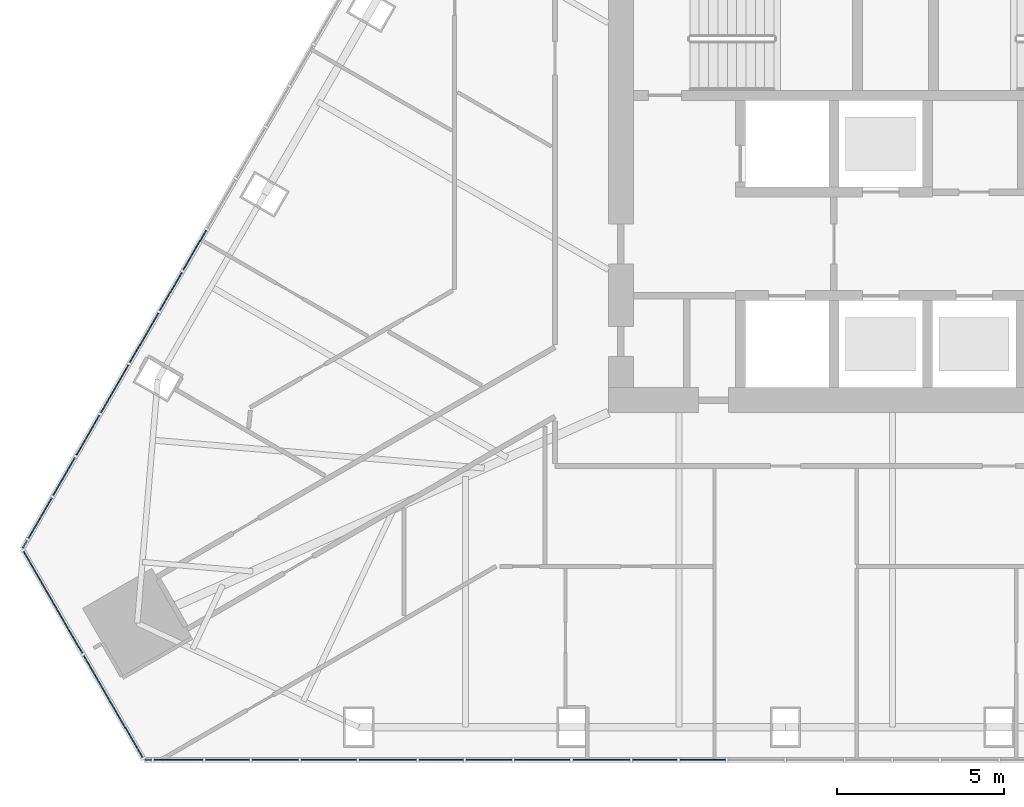
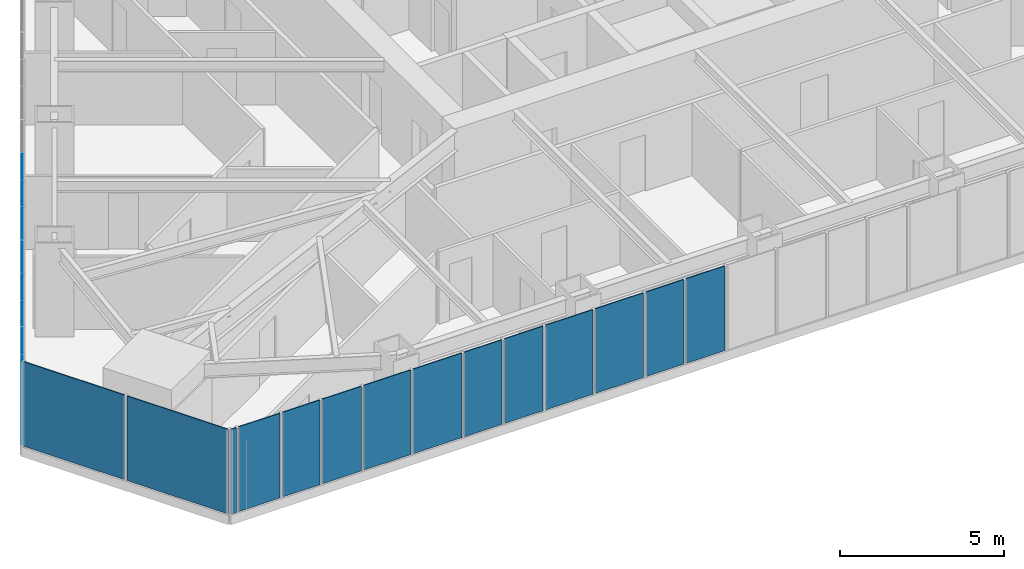
# One storey, part 11 of 21: 22 plates, 3 elements without a shape of their own.
"""IFC4 building model written with IfcOpenShell, lengths in metres."""

from ifc_helpers import new_model, si_unit, direction, frame, origin, place, context, subcontext, project, spatial, polyline, outline, extrude, material, layer, layer_set, type_object, element, aggregate, save


model = new_model("IFC4")

# Units and contexts
model_context = context("Model", 3, precision=1e-05, world=origin(), true_north=direction((0.0, 1.0)))
body_context = subcontext(model_context, "Body", "Model", "MODEL_VIEW")
ifc_project = project(units=[si_unit("LENGTHUNIT", "METRE"), si_unit("AREAUNIT", "SQUARE_METRE"), si_unit("VOLUMEUNIT", "CUBIC_METRE"), si_unit("PLANEANGLEUNIT", "RADIAN"), si_unit("MASSUNIT", "GRAM", prefix="KILO")], contexts=[model_context])

# Site, building, storey
site_placement = place(None, origin())
site = spatial("IfcSite", under=ifc_project, at=site_placement, CompositionType="ELEMENT")
building_placement = place(site_placement, origin())
building = spatial("IfcBuilding", under=site, at=building_placement, Name="Firuza Gate Tower and Library", CompositionType="ELEMENT")
storey_placement = place(building_placement, frame((0.0, 0.0, 284.60009765625)))
storey = spatial("IfcBuildingStorey", under=building, at=storey_placement, Name="L68", CompositionType="ELEMENT", Elevation=284.60009765625)

# Curtain wall, plates
ifc_material_1 = material(Name="Aluminium 6063-T6", Category="aluminium")
ifc_layer_1 = layer(ifc_material_1, 0.14990234375)
ifc_layer_set_1 = layer_set([ifc_layer_1], Name="Corner curtain wall, chamfers")
curtain_wall_type_1 = type_object("IfcCurtainWallType", Name="Corner curtain wall, chamfers", PredefinedType="NOTDEFINED", material=ifc_layer_set_1)
placement = place(storey_placement, origin())
curtain_wall_1 = element("IfcCurtainWall", 1, at=placement, inside=storey, type_object=curtain_wall_type_1, Name="CW4 L68 SW corner", PredefinedType="NOTDEFINED")
ifc_material_2 = material(Name="Fritted glass", Category="glass")
ifc_layer_2 = layer(ifc_material_2, 0.030029296875)
ifc_layer_set_2 = layer_set([ifc_layer_2], Name="Fritted glass unit, corners")
plate_type_1 = type_object("IfcPlateType", Name="Fritted glass unit, corners", PredefinedType="CURTAIN_PANEL", material=ifc_layer_set_2)
plate_1_placement = place(storey_placement, frame((48.957763671875, 64.125244140625, 0.14990234375), z_axis=(-0.866016723041, -0.500015035186, 0.0), x_axis=(0.500015035186, -0.866016723041, 0.0)))
plate_1 = element("IfcPlate", 2, at=plate_1_placement, type_object=plate_type_1, Name="Glass unit", PredefinedType="CURTAIN_PANEL", context=body_context, shape_type="SweptSolid", body=[
    extrude(outline(polyline([(0.0, 0.0), (3.5633694106530625, 0.0), (3.5633694106530625, 3.14990234375), (0.0, 3.14990234375), (0.0, 0.0)])), origin(), (0.0, 0.0, -1.0), 0.030029296875),
])
plate_2_placement = place(storey_placement, frame((50.779296875, 60.969970703125, 0.14990234375), z_axis=(-0.866016723041, -0.500015035186, 0.0), x_axis=(0.500015035186, -0.866016723041, 0.0)))
plate_2 = element("IfcPlate", 3, at=plate_2_placement, type_object=plate_type_1, Name="Glass unit", PredefinedType="CURTAIN_PANEL", context=body_context, shape_type="SweptSolid", body=[
    extrude(outline(polyline([(0.0, 0.0), (3.5633694106530625, 0.0), (3.5633694106530625, 3.14990234375), (0.0, 3.14990234375), (0.0, 0.0)])), origin(), (0.0, 0.0, -1.0), 0.030029296875),
])
aggregate(curtain_wall_1, [plate_1, plate_2])

ifc_material_3 = material(Name="Aluminium 6063-T6", Category="aluminium")
ifc_layer_3 = layer(ifc_material_3, 0.14990234375)
ifc_layer_set_3 = layer_set([ifc_layer_3], Name="Unitised curtain wall, residences")
curtain_wall_type_2 = type_object("IfcCurtainWallType", Name="Unitised curtain wall, residences", PredefinedType="NOTDEFINED", material=ifc_layer_set_3)
curtain_wall_2 = element("IfcCurtainWall", 4, at=placement, inside=storey, type_object=curtain_wall_type_2, Name="CW3 L68 S face", PredefinedType="NOTDEFINED")
ifc_material_4 = material(Name="Fritted glass", Category="glass")
ifc_layer_4 = layer(ifc_material_4, 0.030029296875)
ifc_layer_set_4 = layer_set([ifc_layer_4], Name="Fritted glass unit, residences")
plate_type_2 = type_object("IfcPlateType", Name="Fritted glass unit, residences", PredefinedType="CURTAIN_PANEL", material=ifc_layer_set_4)
plate_3_placement = place(storey_placement, frame((52.900146484375, 57.842041015625, 0.14990234375), z_axis=(0.0, -1.0, 0.0), x_axis=(1.0, 0.0, 0.0)))
plate_3 = element("IfcPlate", 5, at=plate_3_placement, type_object=plate_type_2, Name="Glass unit", PredefinedType="CURTAIN_PANEL", context=body_context, shape_type="SweptSolid", body=[
    extrude(outline(polyline([(0.0, 0.0), (1.463623046875, 0.0), (1.463623046875, 3.14990234375), (0.0, 3.14990234375), (0.0, 0.0)])), origin(), (0.0, 0.0, -1.0), 0.030029296875),
])
plate_4_placement = place(storey_placement, frame((57.30029296875, 57.842041015625, 0.14990234375), z_axis=(0.0, -1.0, 0.0), x_axis=(1.0, 0.0, 0.0)))
plate_4 = element("IfcPlate", 6, at=plate_4_placement, type_object=plate_type_2, Name="Glass unit", PredefinedType="CURTAIN_PANEL", context=body_context, shape_type="SweptSolid", body=[
    extrude(outline(polyline([(0.0, 0.0), (1.655517578125, 0.0), (1.655517578125, 3.14990234375), (0.0, 3.14990234375), (0.0, 0.0)])), origin(), (0.0, 0.0, -1.0), 0.030029296875),
])
plate_5_placement = place(storey_placement, frame((59.03564453125, 57.842041015625, 0.14990234375), z_axis=(0.0, -1.0, 0.0), x_axis=(1.0, 0.0, 0.0)))
plate_5 = element("IfcPlate", 7, at=plate_5_placement, type_object=plate_type_2, Name="Glass unit", PredefinedType="CURTAIN_PANEL", context=body_context, shape_type="SweptSolid", body=[
    extrude(outline(polyline([(0.0, 0.0), (1.71728515625, 0.0), (1.71728515625, 3.14990234375), (0.0, 3.14990234375), (0.0, 0.0)])), origin(), (0.0, 0.0, -1.0), 0.030029296875),
])
plate_6_placement = place(storey_placement, frame((63.689697265625, 57.842041015625, 0.14990234375), z_axis=(0.0, -1.0, 0.0), x_axis=(1.0, 0.0, 0.0)))
plate_6 = element("IfcPlate", 8, at=plate_6_placement, type_object=plate_type_2, Name="Glass unit", PredefinedType="CURTAIN_PANEL", context=body_context, shape_type="SweptSolid", body=[
    extrude(outline(polyline([(0.0, 0.0), (1.667724609375, 0.0), (1.667724609375, 3.14990234375), (0.0, 3.14990234375), (0.0, 0.0)])), origin(), (0.0, 0.0, -1.0), 0.030029296875),
])
plate_7_placement = place(storey_placement, frame((65.4375, 57.842041015625, 0.14990234375), z_axis=(0.0, -1.0, 0.0), x_axis=(1.0, 0.0, 0.0)))
plate_7 = element("IfcPlate", 9, at=plate_7_placement, type_object=plate_type_2, Name="Glass unit", PredefinedType="CURTAIN_PANEL", context=body_context, shape_type="SweptSolid", body=[
    extrude(outline(polyline([(0.0, 0.0), (1.704833984375, 0.0), (1.704833984375, 3.14990234375), (0.0, 3.14990234375), (0.0, 0.0)])), origin(), (0.0, 0.0, -1.0), 0.030029296875),
])

curtain_wall_3 = element("IfcCurtainWall", 10, at=placement, inside=storey, type_object=curtain_wall_type_2, Name="CW3 L68 W face", PredefinedType="NOTDEFINED")
plate_8_placement = place(storey_placement, frame((53.017333984375, 71.24072265625, 0.14990234375), z_axis=(-0.866003269798, 0.500038335229, 0.0), x_axis=(-0.500038335229, -0.866003269798, 0.0)))
plate_8 = element("IfcPlate", 11, at=plate_8_placement, type_object=plate_type_2, Name="Glass unit", PredefinedType="CURTAIN_PANEL", context=body_context, shape_type="SweptSolid", body=[
    extrude(outline(polyline([(0.0, 0.0), (1.7171535013042138, 0.0), (1.7171535013042138, 3.14990234375), (0.0, 3.14990234375), (0.0, 0.0)])), origin(), (0.0, 0.0, -1.0), 0.030029296875),
])
plate_9_placement = place(storey_placement, frame((52.11865234375, 69.684326171875, 0.14990234375), z_axis=(-0.865974362219, 0.500088396166, 0.0), x_axis=(-0.500088396166, -0.865974362219, 0.0)))
plate_9 = element("IfcPlate", 12, at=plate_9_placement, type_object=plate_type_2, Name="Glass unit", PredefinedType="CURTAIN_PANEL", context=body_context, shape_type="SweptSolid", body=[
    extrude(outline(polyline([(0.0, 0.0), (1.655469044518366, 0.0), (1.655469044518366, 3.14990234375), (0.0, 3.14990234375), (0.0, 0.0)])), origin(), (0.0, 0.0, -1.0), 0.030029296875),
])
plate_10_placement = place(storey_placement, frame((49.822509765625, 65.70751953125, 0.14990234375), z_axis=(-0.866043143382, 0.499969272857, 0.0), x_axis=(-0.499969272857, -0.866043143382, 0.0)))
plate_10 = element("IfcPlate", 13, at=plate_10_placement, type_object=plate_type_2, Name="Glass unit", PredefinedType="CURTAIN_PANEL", context=body_context, shape_type="SweptSolid", body=[
    extrude(outline(polyline([(0.0, 0.0), (1.3985234452588307, 0.0), (1.3985234452588307, 3.14990234375), (0.0, 3.14990234375), (0.0, 0.0)])), origin(), (0.0, 0.0, -1.0), 0.030029296875),
])

# Plate
ifc_material_5 = material(Name="Glazed ceramic tile")
ifc_layer_5 = layer(ifc_material_5, 0.030029296875)
ifc_layer_set_5 = layer_set([ifc_layer_5], Name="Opaque ceramic panel, residences")
plate_type_3 = type_object("IfcPlateType", Name="Opaque ceramic panel, residences", PredefinedType="CURTAIN_PANEL", material=ifc_layer_set_5)
plate_11_placement = place(storey_placement, frame((52.634033203125, 57.842041015625, 0.14990234375), z_axis=(0.0, -1.0, 0.0), x_axis=(1.0, 0.0, 0.0)))
plate_11 = element("IfcPlate", 14, at=plate_11_placement, type_object=plate_type_3, Name="Opaque ceramic panel", PredefinedType="CURTAIN_PANEL", context=body_context, shape_type="SweptSolid", body=[
    extrude(outline(polyline([(0.0, 0.0), (0.18603515625, 0.0), (0.18603515625, 3.14990234375), (0.0, 3.14990234375), (0.0, 0.0)])), origin(), (0.0, 0.0, -1.0), 0.030029296875),
])

plate_12_placement = place(storey_placement, frame((54.443603515625, 57.842041015625, 0.14990234375), z_axis=(0.0, -1.0, 0.0), x_axis=(1.0, 0.0, 0.0)))
plate_12 = element("IfcPlate", 15, at=plate_12_placement, type_object=plate_type_3, Name="Opaque ceramic panel", PredefinedType="CURTAIN_PANEL", context=body_context, shape_type="SweptSolid", body=[
    extrude(outline(polyline([(0.0, 0.0), (1.311279296875, 0.0), (1.311279296875, 3.14990234375), (0.0, 3.14990234375), (0.0, 0.0)])), origin(), (0.0, 0.0, -1.0), 0.030029296875),
])

plate_13_placement = place(storey_placement, frame((55.8349609375, 57.842041015625, 0.14990234375), z_axis=(0.0, -1.0, 0.0), x_axis=(1.0, 0.0, 0.0)))
plate_13 = element("IfcPlate", 16, at=plate_13_placement, type_object=plate_type_3, Name="Opaque ceramic panel", PredefinedType="CURTAIN_PANEL", context=body_context, shape_type="SweptSolid", body=[
    extrude(outline(polyline([(0.0, 0.0), (1.38525390625, 0.0), (1.38525390625, 3.14990234375), (0.0, 3.14990234375), (0.0, 0.0)])), origin(), (0.0, 0.0, -1.0), 0.030029296875),
])

plate_14_placement = place(storey_placement, frame((60.8330078125, 57.842041015625, 0.14990234375), z_axis=(0.0, -1.0, 0.0), x_axis=(1.0, 0.0, 0.0)))
plate_14 = element("IfcPlate", 17, at=plate_14_placement, type_object=plate_type_3, Name="Opaque ceramic panel", PredefinedType="CURTAIN_PANEL", context=body_context, shape_type="SweptSolid", body=[
    extrude(outline(polyline([(0.0, 0.0), (1.323486328125, 0.0), (1.323486328125, 3.14990234375), (0.0, 3.14990234375), (0.0, 0.0)])), origin(), (0.0, 0.0, -1.0), 0.030029296875),
])

plate_15_placement = place(storey_placement, frame((62.236572265625, 57.842041015625, 0.14990234375), z_axis=(0.0, -1.0, 0.0), x_axis=(1.0, 0.0, 0.0)))
plate_15 = element("IfcPlate", 18, at=plate_15_placement, type_object=plate_type_3, Name="Opaque ceramic panel", PredefinedType="CURTAIN_PANEL", context=body_context, shape_type="SweptSolid", body=[
    extrude(outline(polyline([(0.0, 0.0), (1.373046875, 0.0), (1.373046875, 3.14990234375), (0.0, 3.14990234375), (0.0, 0.0)])), origin(), (0.0, 0.0, -1.0), 0.030029296875),
])

plate_16_placement = place(storey_placement, frame((67.222412109375, 57.842041015625, 0.14990234375), z_axis=(0.0, -1.0, 0.0), x_axis=(1.0, 0.0, 0.0)))
plate_16 = element("IfcPlate", 19, at=plate_16_placement, type_object=plate_type_3, Name="Opaque ceramic panel", PredefinedType="CURTAIN_PANEL", context=body_context, shape_type="SweptSolid", body=[
    extrude(outline(polyline([(0.0, 0.0), (1.3359375, 0.0), (1.3359375, 3.14990234375), (0.0, 3.14990234375), (0.0, 0.0)])), origin(), (0.0, 0.0, -1.0), 0.030029296875),
])

plate_17_placement = place(storey_placement, frame((68.63818359375, 57.842041015625, 0.14990234375), z_axis=(0.0, -1.0, 0.0), x_axis=(1.0, 0.0, 0.0)))
plate_17 = element("IfcPlate", 20, at=plate_17_placement, type_object=plate_type_3, Name="Opaque ceramic panel", PredefinedType="CURTAIN_PANEL", context=body_context, shape_type="SweptSolid", body=[
    extrude(outline(polyline([(0.0, 0.0), (1.36083984375, 0.0), (1.36083984375, 3.14990234375), (0.0, 3.14990234375), (0.0, 0.0)])), origin(), (0.0, 0.0, -1.0), 0.030029296875),
])

aggregate(curtain_wall_2, [plate_11, plate_3, plate_12, plate_13, plate_4, plate_5, plate_14, plate_15, plate_6, plate_7, plate_16, plate_17])

plate_18_placement = place(storey_placement, frame((54.445556640625, 73.714599609375, 0.14990234375), z_axis=(-0.866001980287, 0.500040568494, 0.0), x_axis=(-0.500040568494, -0.866001980287, 0.0)))
plate_18 = element("IfcPlate", 21, at=plate_18_placement, type_object=plate_type_3, Name="Opaque ceramic panel", PredefinedType="CURTAIN_PANEL", context=body_context, shape_type="SweptSolid", body=[
    extrude(outline(polyline([(0.0, 0.0), (1.372935479150524, 0.0), (1.372935479150524, 3.14990234375), (0.0, 3.14990234375), (0.0, 0.0)])), origin(), (0.0, 0.0, -1.0), 0.030029296875),
])

plate_19_placement = place(storey_placement, frame((53.718994140625, 72.456298828125, 0.14990234375), z_axis=(-0.865998207978, 0.500047101561, 0.0), x_axis=(-0.500047101561, -0.865998207978, 0.0)))
plate_19 = element("IfcPlate", 22, at=plate_19_placement, type_object=plate_type_3, Name="Opaque ceramic panel", PredefinedType="CURTAIN_PANEL", context=body_context, shape_type="SweptSolid", body=[
    extrude(outline(polyline([(0.0, 0.0), (1.3236057809538038, 0.0), (1.3236057809538038, 3.149902343750001), (0.0, 3.149902343750001), (0.0, 0.0)])), origin(), (0.0, 0.0, -1.0), 0.030029296875),
])

plate_20_placement = place(storey_placement, frame((51.2509765625, 68.181396484375, 0.14990234375), z_axis=(-0.866000726912, 0.500042739161, 0.0), x_axis=(-0.500042739161, -0.866000726912, 0.0)))
plate_20 = element("IfcPlate", 23, at=plate_20_placement, type_object=plate_type_3, Name="Opaque ceramic panel", PredefinedType="CURTAIN_PANEL", context=body_context, shape_type="SweptSolid", body=[
    extrude(outline(polyline([(0.0, 0.0), (1.3856237467070587, 0.0), (1.3856237467070587, 3.14990234375), (0.0, 3.14990234375), (0.0, 0.0)])), origin(), (0.0, 0.0, -1.0), 0.030029296875),
])

plate_21_placement = place(storey_placement, frame((50.51806640625, 66.912353515625, 0.14990234375), z_axis=(-0.866092586173, 0.499883618632, 0.0), x_axis=(-0.499883618632, -0.866092586173, 0.0)))
plate_21 = element("IfcPlate", 24, at=plate_21_placement, type_object=plate_type_3, Name="Opaque ceramic panel", PredefinedType="CURTAIN_PANEL", context=body_context, shape_type="SweptSolid", body=[
    extrude(outline(polyline([(0.0, 0.0), (1.3113403874273646, 0.0), (1.3113403874273646, 3.14990234375), (0.0, 3.14990234375), (0.0, 0.0)])), origin(), (0.0, 0.0, -1.0), 0.030029296875),
])

plate_22_placement = place(storey_placement, frame((49.083251953125, 64.427001953125, 0.14990234375), z_axis=(-0.866201770413, 0.499694399542, 0.0), x_axis=(-0.499694399542, -0.866201770413, 0.0)))
plate_22 = element("IfcPlate", 25, at=plate_22_placement, type_object=plate_type_3, Name="Opaque ceramic panel", PredefinedType="CURTAIN_PANEL", context=body_context, shape_type="SweptSolid", body=[
    extrude(outline(polyline([(0.0, 0.0), (0.25113005341856437, 0.0), (0.25113005341856437, 3.14990234375), (0.0, 3.14990234375), (0.0, 0.0)])), origin(), (0.0, 0.0, -1.0), 0.030029296875),
])

aggregate(curtain_wall_3, [plate_18, plate_19, plate_8, plate_9, plate_20, plate_21, plate_10, plate_22])

save(model, "model.ifc")
